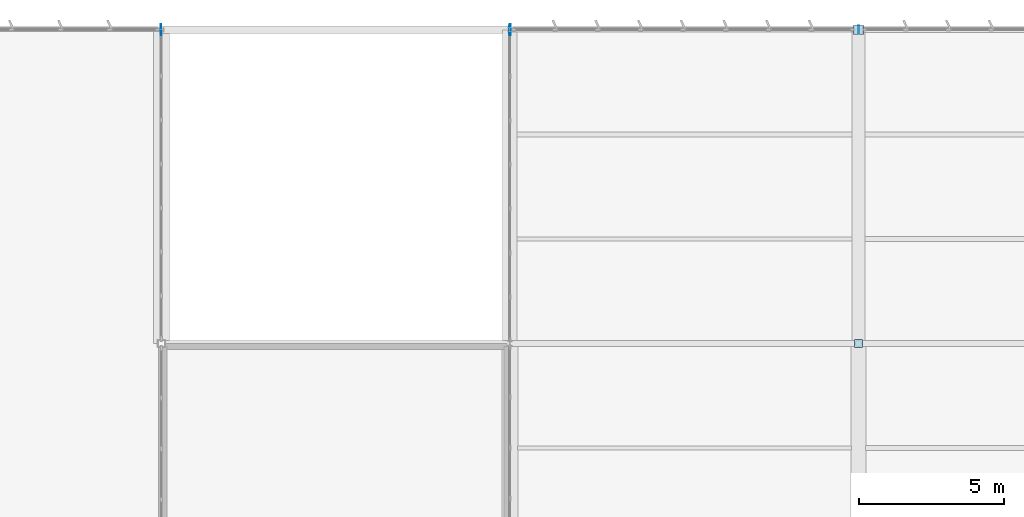
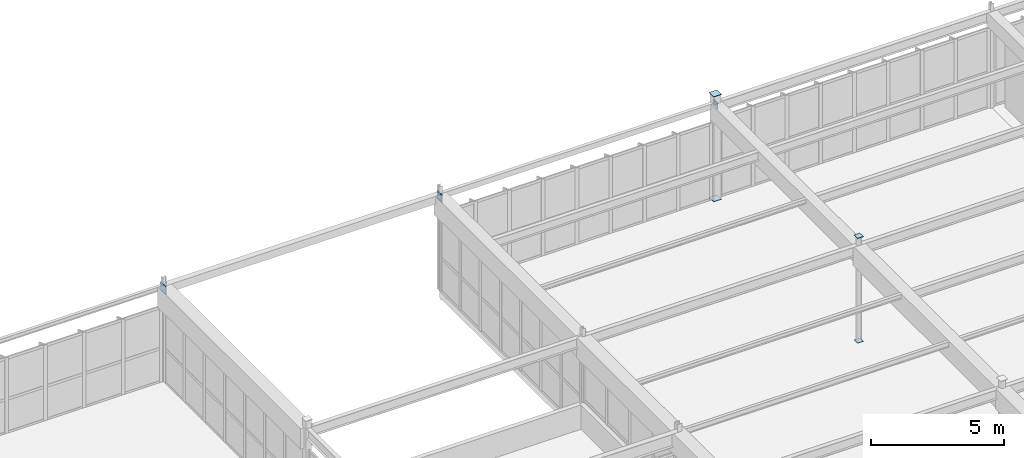
# One storey, part 185 of 226: 8 plates.
"""IFC4 building model written with IfcOpenShell, lengths in metres."""

from ifc_helpers import new_model, si_unit, direction, frame, origin, origin_2d, place, context, subcontext, project, spatial, rectangle, extrude, material, layer, layer_set, type_object, element, save


model = new_model("IFC4")

# Units and contexts
model_context = context("Model", 3, precision=1e-05, world=origin(), true_north=direction((0.0, 1.0)))
body_context = subcontext(model_context, "Body", "Model", "MODEL_VIEW")
ifc_project = project(units=[si_unit("LENGTHUNIT", "METRE"), si_unit("AREAUNIT", "SQUARE_METRE"), si_unit("VOLUMEUNIT", "CUBIC_METRE"), si_unit("PLANEANGLEUNIT", "RADIAN"), si_unit("MASSUNIT", "GRAM", prefix="KILO")], contexts=[model_context])

# Site, building, storey
site_placement = place(None, origin())
site = spatial("IfcSite", under=ifc_project, at=site_placement, CompositionType="ELEMENT")
building_placement = place(site_placement, origin())
building = spatial("IfcBuilding", under=site, at=building_placement, Name="Tarnwether General Hospital", CompositionType="ELEMENT")
storey_placement = place(building_placement, frame((0.0, 0.0, 4.800048828125)))
storey = spatial("IfcBuildingStorey", under=building, at=storey_placement, Name="L01", CompositionType="ELEMENT", Elevation=4.800048828125)

# Plates
ifc_material = material(Name="Steel Grade 350 (350 MPa)", Category="steel")
ifc_layer = layer(ifc_material, 0.02490234375)
ifc_layer_set = layer_set([ifc_layer], Name="Steel Grade 350 (350 MPa)")
plate_type = type_object("IfcPlateType", Name="PT-GUS2", PredefinedType="USERDEFINED", material=ifc_layer_set)
for number, where, z_axis, x_axis, name in (
    (1, (156.0, 115.199951171875, -0.02490234375), (0.0, 0.0, 1.0), (1.0, 0.0, 0.0), "Hollow Section Welded End Cap Plate 0351"),
    (2, (156.0, 115.199951171875, 4.800048828125), (0.0, 0.0, 1.0), (1.0, 0.0, 0.0), "Hollow Section Welded End Cap Plate 0352"),
):
    element("IfcPlate", number, at=place(storey_placement, frame(where, z_axis=z_axis, x_axis=x_axis)), inside=storey, type_object=plate_type, Name=name, ObjectType="GUSSET", PredefinedType="USERDEFINED", context=body_context, shape_type="SweptSolid", body=[
        extrude(rectangle(XDim=0.259033203125, YDim=0.259033203125, at=origin_2d()), origin(), (0.0, 0.0, 1.0), 0.02490234375),
    ])
for number, where, z_axis, x_axis, name in (
    (3, (156.0, 126.0, -0.02490234375), (0.0, 0.0, 1.0), (1.0, 0.0, 0.0), "Hollow Section Welded End Cap Plate 0359"),
    (4, (156.0, 126.0, 4.800048828125), (0.0, 0.0, 1.0), (1.0, 0.0, 0.0), "Hollow Section Welded End Cap Plate 0360"),
):
    element("IfcPlate", number, at=place(storey_placement, frame(where, z_axis=z_axis, x_axis=x_axis)), inside=storey, type_object=plate_type, Name=name, ObjectType="GUSSET", PredefinedType="USERDEFINED", context=body_context, shape_type="SweptSolid", body=[
        extrude(rectangle(XDim=0.340087890625, YDim=0.340087890625, at=origin_2d()), origin(), (0.0, 0.0, 1.0), 0.02490234375),
    ])
for number, where, z_axis, x_axis, name in (
    (5, (131.987548828125, 126.0, 4.0751953125), (0.0, 0.0, 1.0), (1.0, 0.0, 0.0), "Hollow Section Welded End Cap Plate 0931"),
    (6, (144.012451171875, 126.0, 4.0751953125), (0.0, 0.0, 1.0), (1.0, 0.0, 0.0), "Hollow Section Welded End Cap Plate 0932"),
):
    element("IfcPlate", number, at=place(storey_placement, frame(where, z_axis=z_axis, x_axis=x_axis)), inside=storey, type_object=plate_type, Name=name, ObjectType="GUSSET", PredefinedType="USERDEFINED", context=body_context, shape_type="SweptSolid", body=[
        extrude(rectangle(XDim=0.02490234375, YDim=0.389892578125, at=origin_2d()), origin(), (0.0, 0.0, 1.0), 0.389892578125),
    ])
for number, where, z_axis, x_axis, name in (
    (7, (143.987548828125, 126.0, 4.175048828125), (0.0, 0.0, 1.0), (1.0, 0.0, 0.0), "Hollow Section Welded End Cap Plate 0933"),
    (8, (156.012451171875, 126.0, 4.175048828125), (0.0, 0.0, 1.0), (1.0, 0.0, 0.0), "Hollow Section Welded End Cap Plate 0934"),
):
    element("IfcPlate", number, at=place(storey_placement, frame(where, z_axis=z_axis, x_axis=x_axis)), inside=storey, type_object=plate_type, Name=name, ObjectType="GUSSET", PredefinedType="USERDEFINED", context=body_context, shape_type="SweptSolid", body=[
        extrude(rectangle(XDim=0.02490234375, YDim=0.2900390625, at=origin_2d()), origin(), (0.0, 0.0, 1.0), 0.2900390625),
    ])

save(model, "model.ifc")
